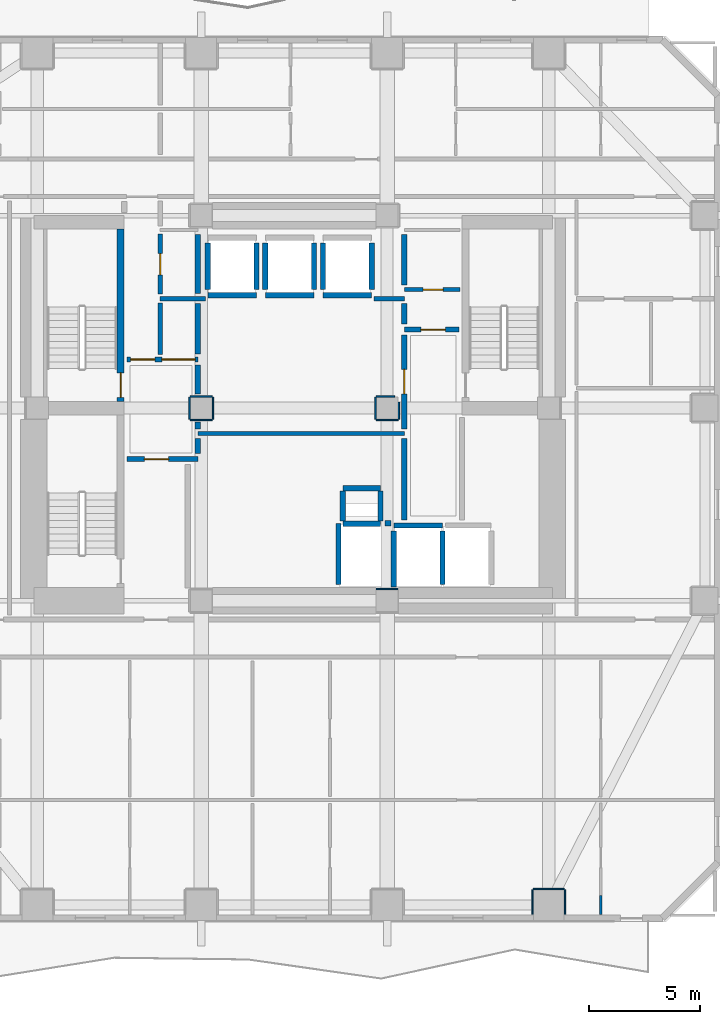
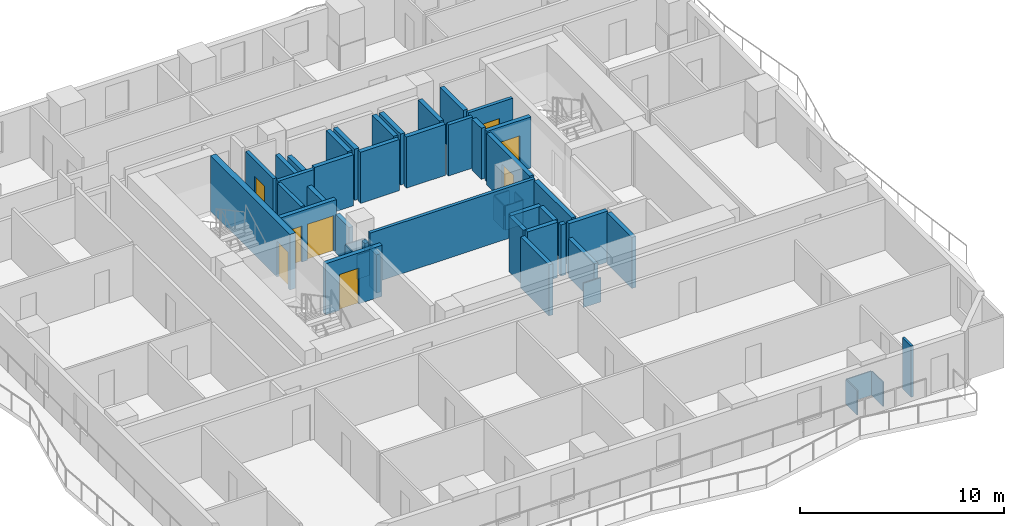
# One storey, part 4 of 11: 50 walls, 8 doors, 8 openings.
"""IFC4 building model written with IfcOpenShell, lengths in metres."""

from ifc_helpers import new_model, si_unit, direction, frame, frame_2d, origin, place, context, subcontext, project, spatial, rectangle, extrude, material, layer, layer_set, type_object, element, fill, save


model = new_model("IFC4")

# Units and contexts
model_context = context("Model", 3, precision=1e-05, world=origin(), true_north=direction((0.0, 1.0)))
body_context = subcontext(model_context, "Body", "Model", "MODEL_VIEW")
ifc_project = project(units=[si_unit("LENGTHUNIT", "METRE"), si_unit("AREAUNIT", "SQUARE_METRE"), si_unit("VOLUMEUNIT", "CUBIC_METRE"), si_unit("PLANEANGLEUNIT", "RADIAN"), si_unit("MASSUNIT", "GRAM", prefix="KILO")], contexts=[model_context])

# Site, building, storey
site_placement = place(None, origin())
site = spatial("IfcSite", under=ifc_project, at=site_placement, CompositionType="ELEMENT")
building_placement = place(site_placement, origin())
building = spatial("IfcBuilding", under=site, at=building_placement, Name="Solanera Arch Residences", CompositionType="ELEMENT")
storey_placement = place(building_placement, frame((0.0, 0.0, 31.9599609375)))
storey = spatial("IfcBuildingStorey", under=building, at=storey_placement, Name="L08", CompositionType="ELEMENT", Elevation=31.9599609375)

# Walls
ifc_material_1 = material(Name="Fire-Rated Gypsum Stud Partition", Category="gypsum")
ifc_layer_1 = layer(ifc_material_1, 0.06005859375)
ifc_layer_set_1 = layer_set([ifc_layer_1], Name="Fire-Rated Gypsum Stud Partition")
wall_type_1 = type_object("IfcWallType", Name="Column Acoustic Furring Wall 60", PredefinedType="PARTITIONING", material=ifc_layer_set_1)
wall_1_placement = place(storey_placement, frame((28.7099609375, 22.531982421875, 0.0), z_axis=(0.0, 0.0, 1.0), x_axis=(1.0, 0.0, 0.0)))
element("IfcWall", 1, at=wall_1_placement, inside=storey, type_object=wall_type_1, Name="L08 Column Furring 2N", PredefinedType="PARTITIONING", context=body_context, shape_type="SweptSolid", body=[
    extrude(rectangle(XDim=0.97998046875, YDim=0.06005859375, at=frame_2d((0.489990234375, 0.0))), origin(), (0.0, 0.0, 1.0), 1.449951171875),
])
for number, where, z_axis, x_axis, name in (
    (2, (20.300048828125, 30.16796875, 0.0), (0.0, 0.0, 1.0), (1.0, 0.0, 0.0), "L08 Column Furring 7S"),
    (3, (20.300048828125, 31.23193359375, 0.0), (0.0, 0.0, 1.0), (1.0, 0.0, 0.0), "L08 Column Furring 7N"),
    (4, (20.26806640625, 30.199951171875, 0.0), (0.0, 0.0, 1.0), (0.0, 1.0, 0.0), "L08 Column Furring 7W"),
    (5, (21.33203125, 30.199951171875, 0.0), (0.0, 0.0, 1.0), (0.0, 1.0, 0.0), "L08 Column Furring 7E"),
    (6, (28.699951171875, 30.16796875, 0.0), (0.0, 0.0, 1.0), (1.0, 0.0, 0.0), "L08 Column Furring 8S"),
):
    element("IfcWall", number, at=place(storey_placement, frame(where, z_axis=z_axis, x_axis=x_axis)), inside=storey, type_object=wall_type_1, Name=name, PredefinedType="PARTITIONING", context=body_context, shape_type="SweptSolid", body=[
        extrude(rectangle(XDim=1.0, YDim=0.06005859375, at=frame_2d((0.5, 0.0))), origin(), (0.0, 0.0, 1.0), 1.449951171875),
    ])
wall_2_placement = place(storey_placement, frame((28.699951171875, 31.23193359375, 0.0), z_axis=(0.0, 0.0, 1.0), x_axis=(1.0, 0.0, 0.0)))
element("IfcWall", 7, at=wall_2_placement, inside=storey, type_object=wall_type_1, Name="L08 Column Furring 8N", PredefinedType="PARTITIONING", context=body_context, shape_type="SweptSolid", body=[
    extrude(rectangle(XDim=0.841064453125, YDim=0.06005859375, at=frame_2d((0.42041015625, 0.0))), origin(), (0.0, 0.0, 1.0), 1.449951171875),
])
wall_3_placement = place(storey_placement, frame((28.66796875, 30.199951171875, 0.0), z_axis=(0.0, 0.0, 1.0), x_axis=(0.0, 1.0, 0.0)))
element("IfcWall", 8, at=wall_3_placement, inside=storey, type_object=wall_type_1, Name="L08 Column Furring 8W", PredefinedType="PARTITIONING", context=body_context, shape_type="SweptSolid", body=[
    extrude(rectangle(XDim=1.0, YDim=0.06005859375, at=frame_2d((0.5, 0.0))), origin(), (0.0, 0.0, 1.0), 1.449951171875),
])
wall_4_placement = place(storey_placement, frame((29.73193359375, 30.199951171875, 0.0), z_axis=(0.0, 0.0, 1.0), x_axis=(0.0, 1.0, 0.0)))
element("IfcWall", 9, at=wall_4_placement, inside=storey, type_object=wall_type_1, Name="L08 Column Furring 8E", PredefinedType="PARTITIONING", context=body_context, shape_type="SweptSolid", body=[
    extrude(rectangle(XDim=0.77197265625, YDim=0.06005859375, at=frame_2d((0.385986328125, 0.0))), origin(), (0.0, 0.0, 1.0), 1.449951171875),
])
wall_5_placement = place(storey_placement, frame((35.800048828125, 8.98193359375, 0.0), z_axis=(0.0, 0.0, 1.0), x_axis=(1.0, 0.0, 0.0)))
element("IfcWall", 10, at=wall_5_placement, inside=storey, type_object=wall_type_1, Name="L08 Column Furring 15N", PredefinedType="PARTITIONING", context=body_context, shape_type="SweptSolid", body=[
    extrude(rectangle(XDim=1.39990234375, YDim=0.06005859375, at=frame_2d((0.699951171875, 0.0))), origin(), (0.0, 0.0, 1.0), 1.449951171875),
])
for number, where, z_axis, x_axis, name in (
    (11, (35.76806640625, 7.830078125, 0.0), (0.0, 0.0, 1.0), (0.0, 1.0, 0.0), "L08 Column Furring 15W"),
    (12, (37.23193359375, 7.830078125, 0.0), (0.0, 0.0, 1.0), (0.0, 1.0, 0.0), "L08 Column Furring 15E"),
):
    element("IfcWall", number, at=place(storey_placement, frame(where, z_axis=z_axis, x_axis=x_axis)), inside=storey, type_object=wall_type_1, Name=name, PredefinedType="PARTITIONING", context=body_context, shape_type="SweptSolid", body=[
        extrude(rectangle(XDim=1.119873046875, YDim=0.06005859375, at=frame_2d((0.56005859375, 0.0))), origin(), (0.0, 0.0, 1.0), 1.449951171875),
    ])

# Wall, opening, door
ifc_material_2 = material(Name="Concrete C40/50 (f'c = 45 MPa)", Category="concrete")
ifc_layer_2 = layer(ifc_material_2, 0.320068359375)
ifc_layer_set_2 = layer_set([ifc_layer_2], Name="Concrete C40/50 (f'c = 45 MPa)")
wall_type_2 = type_object("IfcWallType", Name="Core Shear Wall CW-320", PredefinedType="SHEAR", material=ifc_layer_set_2)
wall_6_placement = place(storey_placement, frame((17.159912109375, 31.0, 0.0), z_axis=(0.0, 0.0, 1.0), x_axis=(0.0, 1.0, 0.0)))
wall_6 = element("IfcWall", 13, at=wall_6_placement, inside=storey, type_object=wall_type_2, Name="L08 Stair ST-T1 East Shear Wall", PredefinedType="SHEAR", context=body_context, shape_type="SweptSolid", body=[
    extrude(rectangle(XDim=7.800048828125, YDim=0.320068359375, at=frame_2d((3.89990234375, 0.0))), origin(), (0.0, 0.0, 1.0), 3.320068359375),
])
opening_1_placement = place(wall_6_placement, frame((0.18994140625, 0.0, 0.0)))
opening_1 = element("IfcOpeningElement", 14, at=opening_1_placement, cuts=wall_6, Name="Opening DF-01", PredefinedType="OPENING", context=body_context, shape_type="SweptSolid", body=[
    extrude(rectangle(XDim=1.10009765625, YDim=2.14990234375, at=frame_2d((0.550048828125, 1.074951171875))), frame((0.0, 0.169921875, 0.0), z_axis=(0.0, -1.0, 0.0), x_axis=(1.0, 0.0, 0.0)), (0.0, 0.0, 1.0), 0.3401),
])
ifc_material_3 = material(Name="Fire-Rated Architectural Hardwood", Category="wood")
door_type_1 = type_object("IfcDoorType", Name="Stair Exit Fire Door DF-01", OperationType="NOTDEFINED", PredefinedType="DOOR", material=ifc_material_3)
door_1_placement = place(opening_1_placement, origin())
door_1 = element("IfcDoor", 15, at=door_1_placement, inside=storey, type_object=door_type_1, Name="DR-L08-STAIR-ST-T1", OperationType="SINGLE_SWING_RIGHT", OverallHeight=2.14990234375, OverallWidth=1.10009765625, PredefinedType="DOOR", context=body_context, shape_type="SweptSolid", body=[
    extrude(rectangle(XDim=1.10009765625, YDim=2.14990234375, at=frame_2d((0.550048828125, 1.074951171875))), frame((0.0, 0.02490234375, 0.0), z_axis=(0.0, -1.0, 0.0), x_axis=(1.0, 0.0, 0.0)), (0.0, 0.0, 1.0), 0.050048828125),
])
fill(opening_1, door_1)

# Wall
ifc_material_4 = material(Name="Autoclaved Aerated Concrete Blockwork", Category="masonry")
ifc_layer_3 = layer(ifc_material_4, 0.179931640625)
ifc_layer_set_3 = layer_set([ifc_layer_3], Name="Autoclaved Aerated Concrete Blockwork")
wall_type_3 = type_object("IfcWallType", Name="Corridor Fire Partition 180", PredefinedType="PARTITIONING", material=ifc_layer_set_3)
wall_7_placement = place(storey_placement, frame((20.64990234375, 29.550048828125, 0.0), z_axis=(0.0, 0.0, 1.0), x_axis=(1.0, 0.0, 0.0)))
element("IfcWall", 16, at=wall_7_placement, inside=storey, type_object=wall_type_3, Name="L08 Interior Partition H9", PredefinedType="PARTITIONING", context=body_context, shape_type="SweptSolid", body=[
    extrude(rectangle(XDim=9.3251953125, YDim=0.179931640625, at=frame_2d((4.66259765625, 0.0))), origin(), (0.0, 0.0, 1.0), 3.06005859375),
])

# Wall, opening, door
wall_8_placement = place(storey_placement, frame((29.97509765625, 36.050048828125, 0.0), z_axis=(0.0, 0.0, 1.0), x_axis=(1.0, 0.0, 0.0)))
wall_8 = element("IfcWall", 17, at=wall_8_placement, inside=storey, type_object=wall_type_3, Name="L08 Interior Partition H10", PredefinedType="PARTITIONING", context=body_context, shape_type="SweptSolid", body=[
    extrude(rectangle(XDim=2.5048828125, YDim=0.179931640625, at=frame_2d((1.25244140625, 0.0))), origin(), (0.0, 0.0, 1.0), 3.06005859375),
])
opening_2_placement = place(wall_8_placement, frame((0.85205078125, 0.0, 0.0)))
opening_2 = element("IfcOpeningElement", 18, at=opening_2_placement, cuts=wall_8, Name="Opening DI-02", PredefinedType="OPENING", context=body_context, shape_type="SweptSolid", body=[
    extrude(rectangle(XDim=0.89990234375, YDim=2.10009765625, at=frame_2d((0.449951171875, 1.050048828125))), frame((0.0, 0.10009765625, 0.0), z_axis=(0.0, -1.0, 0.0), x_axis=(1.0, 0.0, 0.0)), (0.0, 0.0, 1.0), 0.1999),
])
ifc_material_5 = material(Name="Fire-Rated Architectural Hardwood", Category="wood")
door_type_2 = type_object("IfcDoorType", Name="Suite Room Swing Door DI-02", OperationType="NOTDEFINED", PredefinedType="DOOR", material=ifc_material_5)
door_2_placement = place(opening_2_placement, origin())
door_2 = element("IfcDoor", 19, at=door_2_placement, inside=storey, type_object=door_type_2, Name="DR-L08-IN-013", OperationType="SINGLE_SWING_RIGHT", OverallHeight=2.10009765625, OverallWidth=0.89990234375, PredefinedType="DOOR", context=body_context, shape_type="SweptSolid", body=[
    extrude(rectangle(XDim=0.89990234375, YDim=2.10009765625, at=frame_2d((0.449951171875, 1.050048828125))), frame((0.0, 0.02490234375, 0.0), z_axis=(0.0, -1.0, 0.0), x_axis=(1.0, 0.0, 0.0)), (0.0, 0.0, 1.0), 0.050048828125),
])
fill(opening_2, door_2)

# Walls
ifc_material_6 = material(Name="Autoclaved Aerated Concrete Blockwork", Category="masonry")
ifc_layer_4 = layer(ifc_material_6, 0.199951171875)
ifc_layer_set_4 = layer_set([ifc_layer_4], Name="Autoclaved Aerated Concrete Blockwork")
wall_type_4 = type_object("IfcWallType", Name="Party Wall Acoustic 200", PredefinedType="PARTITIONING", material=ifc_layer_set_4)
wall_9_placement = place(storey_placement, frame((18.949951171875, 35.64990234375, 0.0), z_axis=(0.0, 0.0, 1.0), x_axis=(1.0, 0.0, 0.0)))
element("IfcWall", 20, at=wall_9_placement, inside=storey, type_object=wall_type_4, Name="L08 Interior Partition H6 1", PredefinedType="PARTITIONING", context=body_context, shape_type="SweptSolid", body=[
    extrude(rectangle(XDim=2.046142578125, YDim=0.199951171875, at=frame_2d((1.02294921875, 0.0))), origin(), (0.0, 0.0, 1.0), 3.06005859375),
])
wall_10_placement = place(storey_placement, frame((28.60400390625, 35.64990234375, 0.0), z_axis=(0.0, 0.0, 1.0), x_axis=(1.0, 0.0, 0.0)))
element("IfcWall", 21, at=wall_10_placement, inside=storey, type_object=wall_type_4, Name="L08 Interior Partition H6 2", PredefinedType="PARTITIONING", context=body_context, shape_type="SweptSolid", body=[
    extrude(rectangle(XDim=1.37109375, YDim=0.199951171875, at=frame_2d((0.685546875, 0.0))), origin(), (0.0, 0.0, 1.0), 3.06005859375),
])
wall_11_placement = place(storey_placement, frame((18.949951171875, 33.1279296875, 0.0), z_axis=(0.0, 0.0, 1.0), x_axis=(0.0, 1.0, 0.0)))
element("IfcWall", 22, at=wall_11_placement, inside=storey, type_object=wall_type_4, Name="L08 Interior Partition V6 1", PredefinedType="PARTITIONING", context=body_context, shape_type="SweptSolid", body=[
    extrude(rectangle(XDim=2.31396484375, YDim=0.199951171875, at=frame_2d((1.156982421875, 0.0))), origin(), (0.0, 0.0, 1.0), 3.06005859375),
])

# Wall, opening, door
wall_12_placement = place(storey_placement, frame((18.949951171875, 35.85791015625, 0.0), z_axis=(0.0, 0.0, 1.0), x_axis=(0.0, 1.0, 0.0)))
wall_12 = element("IfcWall", 23, at=wall_12_placement, inside=storey, type_object=wall_type_4, Name="L08 Interior Partition V6 2", PredefinedType="PARTITIONING", context=body_context, shape_type="SweptSolid", body=[
    extrude(rectangle(XDim=2.714111328125, YDim=0.199951171875, at=frame_2d((1.35693359375, 0.0))), origin(), (0.0, 0.0, 1.0), 3.06005859375),
])
opening_3_placement = place(wall_12_placement, frame((0.866943359375, 0.0, 0.0)))
opening_3 = element("IfcOpeningElement", 24, at=opening_3_placement, cuts=wall_12, Name="Opening DI-04", PredefinedType="OPENING", context=body_context, shape_type="SweptSolid", body=[
    extrude(rectangle(XDim=0.949951171875, YDim=2.10009765625, at=frame_2d((0.47509765625, 1.050048828125))), frame((0.0, 0.110107421875, 0.0), z_axis=(0.0, -1.0, 0.0), x_axis=(1.0, 0.0, 0.0)), (0.0, 0.0, 1.0), 0.22),
])
ifc_material_7 = material(Name="Fire-Rated Architectural Hardwood", Category="wood")
door_type_3 = type_object("IfcDoorType", Name="Accessible Restroom Door DI-04", OperationType="NOTDEFINED", PredefinedType="DOOR", material=ifc_material_7)
door_3_placement = place(opening_3_placement, origin())
door_3 = element("IfcDoor", 25, at=door_3_placement, inside=storey, type_object=door_type_3, Name="DR-L08-IN-014", OperationType="SINGLE_SWING_LEFT", OverallHeight=2.10009765625, OverallWidth=0.949951171875, PredefinedType="DOOR", context=body_context, shape_type="SweptSolid", body=[
    extrude(rectangle(XDim=0.949951171875, YDim=2.10009765625, at=frame_2d((0.47509765625, 1.050048828125))), frame((0.0, 0.02490234375, 0.0), z_axis=(0.0, -1.0, 0.0), x_axis=(1.0, 0.0, 0.0)), (0.0, 0.0, 1.0), 0.050048828125),
])
fill(opening_3, door_3)

# Walls
ifc_material_8 = material(Name="Concrete C40/50 (f'c = 45 MPa)", Category="concrete")
ifc_layer_5 = layer(ifc_material_8, 0.239990234375)
ifc_layer_set_5 = layer_set([ifc_layer_5], Name="Concrete C40/50 (f'c = 45 MPa)")
wall_type_5 = type_object("IfcWallType", Name="Ramp Bearing Shear Wall RW-240", PredefinedType="SHEAR", material=ifc_layer_set_5)
for number, where, z_axis, x_axis, name in (
    (26, (27.199951171875, 25.47998046875, 0.0), (0.0, 0.0, 1.0), (1.0, 0.0, 0.0), "L08 Core MEP Riser South Shaft Wall"),
    (27, (27.199951171875, 27.080078125, 0.0), (0.0, 0.0, 1.0), (1.0, 0.0, 0.0), "L08 Core MEP Riser North Shaft Wall"),
):
    element("IfcWall", number, at=place(storey_placement, frame(where, z_axis=z_axis, x_axis=x_axis)), inside=storey, type_object=wall_type_5, Name=name, PredefinedType="SHEAR", context=body_context, shape_type="SweptSolid", body=[
        extrude(rectangle(XDim=1.699951171875, YDim=0.239990234375, at=frame_2d((0.85009765625, 0.0))), origin(), (0.0, 0.0, 1.0), 3.320068359375),
    ])
for number, where, z_axis, x_axis, name in (
    (28, (27.199951171875, 25.60009765625, 0.0), (0.0, 0.0, 1.0), (0.0, 1.0, 0.0), "L08 Core MEP Riser West Shaft Wall"),
    (29, (28.89990234375, 25.60009765625, 0.0), (0.0, 0.0, 1.0), (0.0, 1.0, 0.0), "L08 Core MEP Riser East Shaft Wall"),
):
    element("IfcWall", number, at=place(storey_placement, frame(where, z_axis=z_axis, x_axis=x_axis)), inside=storey, type_object=wall_type_5, Name=name, PredefinedType="SHEAR", context=body_context, shape_type="SweptSolid", body=[
        extrude(rectangle(XDim=1.35986328125, YDim=0.239990234375, at=frame_2d((0.679931640625, 0.0))), origin(), (0.0, 0.0, 1.0), 3.320068359375),
    ])
ifc_material_9 = material(Name="Autoclaved Aerated Concrete Blockwork", Category="masonry")
ifc_layer_6 = layer(ifc_material_9, 0.239990234375)
ifc_layer_set_6 = layer_set([ifc_layer_6], Name="Autoclaved Aerated Concrete Blockwork")
wall_type_6 = type_object("IfcWallType", Name="Shaft Wall Fire-Rated 240", PredefinedType="PARTITIONING", material=ifc_layer_set_6)
wall_13_placement = place(storey_placement, frame((21.10009765625, 35.800048828125, 0.0), z_axis=(0.0, 0.0, 1.0), x_axis=(1.0, 0.0, 0.0)))
element("IfcWall", 30, at=wall_13_placement, inside=storey, type_object=wall_type_6, Name="L08 Lift PL-L1 Hoistway Wall S", PredefinedType="PARTITIONING", context=body_context, shape_type="SweptSolid", body=[
    extrude(rectangle(XDim=2.199951171875, YDim=0.239990234375, at=frame_2d((1.10009765625, 0.0))), origin(), (0.0, 0.0, 1.0), 3.06005859375),
])
wall_14_placement = place(storey_placement, frame((21.10009765625, 36.048095703125, 0.0), z_axis=(0.0, 0.0, 1.0), x_axis=(0.0, 1.0, 0.0)))
element("IfcWall", 31, at=wall_14_placement, inside=storey, type_object=wall_type_6, Name="L08 Lift PL-L1 Hoistway Wall W", PredefinedType="PARTITIONING", context=body_context, shape_type="SweptSolid", body=[
    extrude(rectangle(XDim=2.10400390625, YDim=0.239990234375, at=frame_2d((1.052001953125, 0.0))), origin(), (0.0, 0.0, 1.0), 2.294921875),
])
wall_15_placement = place(storey_placement, frame((23.300048828125, 36.048095703125, 0.0), z_axis=(0.0, 0.0, 1.0), x_axis=(0.0, 1.0, 0.0)))
element("IfcWall", 32, at=wall_15_placement, inside=storey, type_object=wall_type_6, Name="L08 Lift PL-L1 Hoistway Wall E", PredefinedType="PARTITIONING", context=body_context, shape_type="SweptSolid", body=[
    extrude(rectangle(XDim=2.10400390625, YDim=0.239990234375, at=frame_2d((1.052001953125, 0.0))), origin(), (0.0, 0.0, 1.0), 3.06005859375),
])
wall_16_placement = place(storey_placement, frame((23.699951171875, 35.800048828125, 0.0), z_axis=(0.0, 0.0, 1.0), x_axis=(1.0, 0.0, 0.0)))
element("IfcWall", 33, at=wall_16_placement, inside=storey, type_object=wall_type_6, Name="L08 Lift PL-L2 Hoistway Wall S", PredefinedType="PARTITIONING", context=body_context, shape_type="SweptSolid", body=[
    extrude(rectangle(XDim=2.199951171875, YDim=0.239990234375, at=frame_2d((1.10009765625, 0.0))), origin(), (0.0, 0.0, 1.0), 3.06005859375),
])
for number, where, z_axis, x_axis, name in (
    (34, (23.699951171875, 36.048095703125, 0.0), (0.0, 0.0, 1.0), (0.0, 1.0, 0.0), "L08 Lift PL-L2 Hoistway Wall W"),
    (35, (25.89990234375, 36.048095703125, 0.0), (0.0, 0.0, 1.0), (0.0, 1.0, 0.0), "L08 Lift PL-L2 Hoistway Wall E"),
):
    element("IfcWall", number, at=place(storey_placement, frame(where, z_axis=z_axis, x_axis=x_axis)), inside=storey, type_object=wall_type_6, Name=name, PredefinedType="PARTITIONING", context=body_context, shape_type="SweptSolid", body=[
        extrude(rectangle(XDim=2.10400390625, YDim=0.239990234375, at=frame_2d((1.052001953125, 0.0))), origin(), (0.0, 0.0, 1.0), 3.06005859375),
    ])
wall_17_placement = place(storey_placement, frame((26.300048828125, 35.800048828125, 0.0), z_axis=(0.0, 0.0, 1.0), x_axis=(1.0, 0.0, 0.0)))
element("IfcWall", 36, at=wall_17_placement, inside=storey, type_object=wall_type_6, Name="L08 Lift PL-L3 Hoistway Wall S", PredefinedType="PARTITIONING", context=body_context, shape_type="SweptSolid", body=[
    extrude(rectangle(XDim=2.199951171875, YDim=0.239990234375, at=frame_2d((1.10009765625, 0.0))), origin(), (0.0, 0.0, 1.0), 3.06005859375),
])
for number, where, z_axis, x_axis, name in (
    (37, (26.300048828125, 36.048095703125, 0.0), (0.0, 0.0, 1.0), (0.0, 1.0, 0.0), "L08 Lift PL-L3 Hoistway Wall W"),
    (38, (28.5, 36.048095703125, 0.0), (0.0, 0.0, 1.0), (0.0, 1.0, 0.0), "L08 Lift PL-L3 Hoistway Wall E"),
):
    element("IfcWall", number, at=place(storey_placement, frame(where, z_axis=z_axis, x_axis=x_axis)), inside=storey, type_object=wall_type_6, Name=name, PredefinedType="PARTITIONING", context=body_context, shape_type="SweptSolid", body=[
        extrude(rectangle(XDim=2.10400390625, YDim=0.239990234375, at=frame_2d((1.052001953125, 0.0))), origin(), (0.0, 0.0, 1.0), 3.06005859375),
    ])
wall_18_placement = place(storey_placement, frame((29.5, 25.39990234375, 0.0), z_axis=(0.0, 0.0, 1.0), x_axis=(1.0, 0.0, 0.0)))
element("IfcWall", 39, at=wall_18_placement, inside=storey, type_object=wall_type_6, Name="L08 Lift FFL-1 Hoistway Wall N", PredefinedType="PARTITIONING", context=body_context, shape_type="SweptSolid", body=[
    extrude(rectangle(XDim=2.199951171875, YDim=0.239990234375, at=frame_2d((1.10009765625, 0.0))), origin(), (0.0, 0.0, 1.0), 3.06005859375),
])
wall_19_placement = place(storey_placement, frame((29.5, 22.632080078125, 0.0), z_axis=(0.0, 0.0, 1.0), x_axis=(0.0, 1.0, 0.0)))
element("IfcWall", 40, at=wall_19_placement, inside=storey, type_object=wall_type_6, Name="L08 Lift FFL-1 Hoistway Wall W", PredefinedType="PARTITIONING", context=body_context, shape_type="SweptSolid", body=[
    extrude(rectangle(XDim=2.52001953125, YDim=0.239990234375, at=frame_2d((1.260009765625, 0.0))), origin(), (0.0, 0.0, 1.0), 2.294921875),
])
wall_20_placement = place(storey_placement, frame((31.699951171875, 22.72998046875, 0.0), z_axis=(0.0, 0.0, 1.0), x_axis=(0.0, 1.0, 0.0)))
element("IfcWall", 41, at=wall_20_placement, inside=storey, type_object=wall_type_6, Name="L08 Lift FFL-1 Hoistway Wall E", PredefinedType="PARTITIONING", context=body_context, shape_type="SweptSolid", body=[
    extrude(rectangle(XDim=2.422119140625, YDim=0.239990234375, at=frame_2d((1.2109375, 0.0))), origin(), (0.0, 0.0, 1.0), 3.06005859375),
])
wall_21_placement = place(storey_placement, frame((29.10302734375, 25.5, 0.0), z_axis=(0.0, 0.0, 1.0), x_axis=(1.0, 0.0, 0.0)))
element("IfcWall", 42, at=wall_21_placement, inside=storey, type_object=wall_type_6, Name="L08 Lift SVL-1 Hoistway Wall N", PredefinedType="PARTITIONING", context=body_context, shape_type="SweptSolid", body=[
    extrude(rectangle(XDim=0.26904296875, YDim=0.239990234375, at=frame_2d((0.134521484375, 0.0))), origin(), (0.0, 0.0, 1.0), 3.06005859375),
])
wall_22_placement = place(storey_placement, frame((27.0, 22.72998046875, 0.0), z_axis=(0.0, 0.0, 1.0), x_axis=(0.0, 1.0, 0.0)))
element("IfcWall", 43, at=wall_22_placement, inside=storey, type_object=wall_type_6, Name="L08 Lift SVL-1 Hoistway Wall W", PredefinedType="PARTITIONING", context=body_context, shape_type="SweptSolid", body=[
    extrude(rectangle(XDim=2.76806640625, YDim=0.239990234375, at=frame_2d((1.384033203125, 0.0))), origin(), (0.0, 0.0, 1.0), 3.06005859375),
])

# Wall, opening, door
wall_23_placement = place(storey_placement, frame((17.449951171875, 28.39990234375, 0.0), z_axis=(0.0, 0.0, 1.0), x_axis=(1.0, 0.0, 0.0)))
wall_23 = element("IfcWall", 44, at=wall_23_placement, inside=storey, type_object=wall_type_6, Name="L08 Interior Partition H3", PredefinedType="PARTITIONING", context=body_context, shape_type="SweptSolid", body=[
    extrude(rectangle(XDim=3.199951171875, YDim=0.239990234375, at=frame_2d((1.60009765625, 0.0))), origin(), (0.0, 0.0, 1.0), 3.06005859375),
])
opening_4_placement = place(wall_23_placement, frame((0.783935546875, 0.0, 0.0)))
opening_4 = element("IfcOpeningElement", 45, at=opening_4_placement, cuts=wall_23, Name="Opening DF-02", PredefinedType="OPENING", context=body_context, shape_type="SweptSolid", body=[
    extrude(rectangle(XDim=1.10009765625, YDim=2.14990234375, at=frame_2d((0.550048828125, 1.074951171875))), frame((0.0, 0.1298828125, 0.0), z_axis=(0.0, -1.0, 0.0), x_axis=(1.0, 0.0, 0.0)), (0.0, 0.0, 1.0), 0.26),
])
ifc_material_10 = material(Name="Fire-Rated Architectural Hardwood", Category="wood")
door_type_4 = type_object("IfcDoorType", Name="Firefighting Lobby Fire Door DF-02", OperationType="NOTDEFINED", PredefinedType="DOOR", material=ifc_material_10)
door_4_placement = place(opening_4_placement, origin())
door_4 = element("IfcDoor", 46, at=door_4_placement, inside=storey, type_object=door_type_4, Name="DR-L08-IN-004", OperationType="SINGLE_SWING_LEFT", OverallHeight=2.14990234375, OverallWidth=1.10009765625, PredefinedType="DOOR", context=body_context, shape_type="SweptSolid", body=[
    extrude(rectangle(XDim=1.10009765625, YDim=2.14990234375, at=frame_2d((0.550048828125, 1.074951171875))), frame((0.0, 0.02490234375, 0.0), z_axis=(0.0, -1.0, 0.0), x_axis=(1.0, 0.0, 0.0)), (0.0, 0.0, 1.0), 0.050048828125),
])
fill(opening_4, door_4)

# Wall, openings, doors
wall_24_placement = place(storey_placement, frame((17.449951171875, 32.89990234375, 0.0), z_axis=(0.0, 0.0, 1.0), x_axis=(1.0, 0.0, 0.0)))
wall_24 = element("IfcWall", 47, at=wall_24_placement, inside=storey, type_object=wall_type_6, Name="L08 Interior Partition H4", PredefinedType="PARTITIONING", context=body_context, shape_type="SweptSolid", body=[
    extrude(rectangle(XDim=3.199951171875, YDim=0.239990234375, at=frame_2d((1.60009765625, 0.0))), origin(), (0.0, 0.0, 1.0), 3.06005859375),
])
opening_5_placement = place(wall_24_placement, frame((0.158935546875, 0.0, 0.0)))
opening_5 = element("IfcOpeningElement", 48, at=opening_5_placement, cuts=wall_24, Name="Opening DF-02", PredefinedType="OPENING", context=body_context, shape_type="SweptSolid", body=[
    extrude(rectangle(XDim=1.10009765625, YDim=2.14990234375, at=frame_2d((0.550048828125, 1.074951171875))), frame((0.0, 0.1298828125, 0.0), z_axis=(0.0, -1.0, 0.0), x_axis=(1.0, 0.0, 0.0)), (0.0, 0.0, 1.0), 0.26),
])
opening_6_placement = place(wall_24_placement, frame((1.575927734375, 0.0, 0.0)))
opening_6 = element("IfcOpeningElement", 49, at=opening_6_placement, cuts=wall_24, Name="Opening DP-01", PredefinedType="OPENING", context=body_context, shape_type="SweptSolid", body=[
    extrude(rectangle(XDim=1.5, YDim=2.14990234375, at=frame_2d((0.75, 1.074951171875))), frame((0.0, 0.1298828125, 0.0), z_axis=(0.0, -1.0, 0.0), x_axis=(1.0, 0.0, 0.0)), (0.0, 0.0, 1.0), 0.26),
])
door_5_placement = place(opening_5_placement, origin())
door_5 = element("IfcDoor", 50, at=door_5_placement, inside=storey, type_object=door_type_4, Name="DR-L08-IN-005", OperationType="SINGLE_SWING_RIGHT", OverallHeight=2.14990234375, OverallWidth=1.10009765625, PredefinedType="DOOR", context=body_context, shape_type="SweptSolid", body=[
    extrude(rectangle(XDim=1.10009765625, YDim=2.14990234375, at=frame_2d((0.550048828125, 1.074951171875))), frame((0.0, 0.02490234375, 0.0), z_axis=(0.0, -1.0, 0.0), x_axis=(1.0, 0.0, 0.0)), (0.0, 0.0, 1.0), 0.050048828125),
])
fill(opening_5, door_5)
ifc_material_11 = material(Name="Fire-Rated Architectural Hardwood", Category="wood")
door_type_5 = type_object("IfcDoorType", Name="Plant Double Fire Door DP-01", OperationType="NOTDEFINED", PredefinedType="DOOR", material=ifc_material_11)
door_6_placement = place(opening_6_placement, origin())
door_6 = element("IfcDoor", 51, at=door_6_placement, inside=storey, type_object=door_type_5, Name="DR-L08-IN-012", OperationType="SINGLE_SWING_LEFT", OverallHeight=2.14990234375, OverallWidth=1.5, PredefinedType="DOOR", context=body_context, shape_type="SweptSolid", body=[
    extrude(rectangle(XDim=1.5, YDim=2.14990234375, at=frame_2d((0.75, 1.074951171875))), frame((0.0, 0.02490234375, 0.0), z_axis=(0.0, -1.0, 0.0), x_axis=(1.0, 0.0, 0.0)), (0.0, 0.0, 1.0), 0.050048828125),
])
fill(opening_6, door_6)

# Wall, opening, door
wall_25_placement = place(storey_placement, frame((29.97509765625, 34.25, 0.0), z_axis=(0.0, 0.0, 1.0), x_axis=(1.0, 0.0, 0.0)))
wall_25 = element("IfcWall", 52, at=wall_25_placement, inside=storey, type_object=wall_type_6, Name="L08 Interior Partition H5", PredefinedType="PARTITIONING", context=body_context, shape_type="SweptSolid", body=[
    extrude(rectangle(XDim=2.474853515625, YDim=0.239990234375, at=frame_2d((1.2373046875, 0.0))), origin(), (0.0, 0.0, 1.0), 3.06005859375),
])
opening_7_placement = place(wall_25_placement, frame((0.751953125, 0.0, 0.0)))
opening_7 = element("IfcOpeningElement", 53, at=opening_7_placement, cuts=wall_25, Name="Opening DF-02", PredefinedType="OPENING", context=body_context, shape_type="SweptSolid", body=[
    extrude(rectangle(XDim=1.10009765625, YDim=2.14990234375, at=frame_2d((0.550048828125, 1.074951171875))), frame((0.0, 0.1298828125, 0.0), z_axis=(0.0, -1.0, 0.0), x_axis=(1.0, 0.0, 0.0)), (0.0, 0.0, 1.0), 0.26),
])
door_7_placement = place(opening_7_placement, origin())
door_7 = element("IfcDoor", 54, at=door_7_placement, inside=storey, type_object=door_type_4, Name="DR-L08-IN-007", OperationType="SINGLE_SWING_RIGHT", OverallHeight=2.14990234375, OverallWidth=1.10009765625, PredefinedType="DOOR", context=body_context, shape_type="SweptSolid", body=[
    extrude(rectangle(XDim=1.10009765625, YDim=2.14990234375, at=frame_2d((0.550048828125, 1.074951171875))), frame((0.0, 0.02490234375, 0.0), z_axis=(0.0, -1.0, 0.0), x_axis=(1.0, 0.0, 0.0)), (0.0, 0.0, 1.0), 0.050048828125),
])
fill(opening_7, door_7)

# Walls
wall_26_placement = place(storey_placement, frame((20.64990234375, 28.64794921875, 0.0), z_axis=(0.0, 0.0, 1.0), x_axis=(0.0, 1.0, 0.0)))
element("IfcWall", 55, at=wall_26_placement, inside=storey, type_object=wall_type_6, Name="L08 Interior Partition V3 1", PredefinedType="PARTITIONING", context=body_context, shape_type="SweptSolid", body=[
    extrude(rectangle(XDim=0.68408203125, YDim=0.239990234375, at=frame_2d((0.342041015625, 0.0))), origin(), (0.0, 0.0, 1.0), 2.294921875),
])
wall_27_placement = place(storey_placement, frame((20.64990234375, 29.76806640625, 0.0), z_axis=(0.0, 0.0, 1.0), x_axis=(0.0, 1.0, 0.0)))
element("IfcWall", 56, at=wall_27_placement, inside=storey, type_object=wall_type_6, Name="L08 Interior Partition V3 2", PredefinedType="PARTITIONING", context=body_context, shape_type="SweptSolid", body=[
    extrude(rectangle(XDim=0.300048828125, YDim=0.239990234375, at=frame_2d((0.14990234375, 0.0))), origin(), (0.0, 0.0, 1.0), 2.294921875),
])
wall_28_placement = place(storey_placement, frame((20.64990234375, 31.33203125, 0.0), z_axis=(0.0, 0.0, 1.0), x_axis=(0.0, 1.0, 0.0)))
element("IfcWall", 57, at=wall_28_placement, inside=storey, type_object=wall_type_6, Name="L08 Interior Partition V3 3", PredefinedType="PARTITIONING", context=body_context, shape_type="SweptSolid", body=[
    extrude(rectangle(XDim=1.320068359375, YDim=0.239990234375, at=frame_2d((0.66015625, 0.0))), origin(), (0.0, 0.0, 1.0), 2.294921875),
])
wall_29_placement = place(storey_placement, frame((20.64990234375, 33.14794921875, 0.0), z_axis=(0.0, 0.0, 1.0), x_axis=(0.0, 1.0, 0.0)))
element("IfcWall", 58, at=wall_29_placement, inside=storey, type_object=wall_type_6, Name="L08 Interior Partition V3 4", PredefinedType="PARTITIONING", context=body_context, shape_type="SweptSolid", body=[
    extrude(rectangle(XDim=2.274169921875, YDim=0.239990234375, at=frame_2d((1.13720703125, 0.0))), origin(), (0.0, 0.0, 1.0), 2.294921875),
])
wall_30_placement = place(storey_placement, frame((20.64990234375, 35.8779296875, 0.0), z_axis=(0.0, 0.0, 1.0), x_axis=(0.0, 1.0, 0.0)))
element("IfcWall", 59, at=wall_30_placement, inside=storey, type_object=wall_type_6, Name="L08 Interior Partition V3 5", PredefinedType="PARTITIONING", context=body_context, shape_type="SweptSolid", body=[
    extrude(rectangle(XDim=2.674072265625, YDim=0.239990234375, at=frame_2d((1.3369140625, 0.0))), origin(), (0.0, 0.0, 1.0), 2.294921875),
])
wall_31_placement = place(storey_placement, frame((29.97509765625, 25.64794921875, 0.0), z_axis=(0.0, 0.0, 1.0), x_axis=(0.0, 1.0, 0.0)))
element("IfcWall", 60, at=wall_31_placement, inside=storey, type_object=wall_type_6, Name="L08 Interior Partition V4 1", PredefinedType="PARTITIONING", context=body_context, shape_type="SweptSolid", body=[
    extrude(rectangle(XDim=3.68408203125, YDim=0.239990234375, at=frame_2d((1.842041015625, 0.0))), origin(), (0.0, 0.0, 1.0), 3.06005859375),
])

# Wall, opening, door
wall_32_placement = place(storey_placement, frame((29.97509765625, 29.76806640625, 0.0), z_axis=(0.0, 0.0, 1.0), x_axis=(0.0, 1.0, 0.0)))
wall_32 = element("IfcWall", 61, at=wall_32_placement, inside=storey, type_object=wall_type_6, Name="L08 Interior Partition V4 2", PredefinedType="PARTITIONING", context=body_context, shape_type="SweptSolid", body=[
    extrude(rectangle(XDim=4.23388671875, YDim=0.239990234375, at=frame_2d((2.116943359375, 0.0))), origin(), (0.0, 0.0, 1.0), 3.06005859375),
])
opening_8_placement = place(wall_32_placement, frame((1.58203125, 0.0, 0.0)))
opening_8 = element("IfcOpeningElement", 62, at=opening_8_placement, cuts=wall_32, Name="Opening DF-02", PredefinedType="OPENING", context=body_context, shape_type="SweptSolid", body=[
    extrude(rectangle(XDim=1.10009765625, YDim=2.14990234375, at=frame_2d((0.550048828125, 1.074951171875))), frame((0.0, 0.1298828125, 0.0), z_axis=(0.0, -1.0, 0.0), x_axis=(1.0, 0.0, 0.0)), (0.0, 0.0, 1.0), 0.26),
])
door_8_placement = place(opening_8_placement, origin())
door_8 = element("IfcDoor", 63, at=door_8_placement, inside=storey, type_object=door_type_4, Name="DR-L08-IN-006", OperationType="SINGLE_SWING_LEFT", OverallHeight=2.14990234375, OverallWidth=1.10009765625, PredefinedType="DOOR", context=body_context, shape_type="SweptSolid", body=[
    extrude(rectangle(XDim=1.10009765625, YDim=2.14990234375, at=frame_2d((0.550048828125, 1.074951171875))), frame((0.0, 0.02490234375, 0.0), z_axis=(0.0, -1.0, 0.0), x_axis=(1.0, 0.0, 0.0)), (0.0, 0.0, 1.0), 0.050048828125),
])
fill(opening_8, door_8)

# Walls
wall_33_placement = place(storey_placement, frame((29.97509765625, 34.498046875, 0.0), z_axis=(0.0, 0.0, 1.0), x_axis=(0.0, 1.0, 0.0)))
element("IfcWall", 64, at=wall_33_placement, inside=storey, type_object=wall_type_6, Name="L08 Interior Partition V4 3", PredefinedType="PARTITIONING", context=body_context, shape_type="SweptSolid", body=[
    extrude(rectangle(XDim=0.924072265625, YDim=0.239990234375, at=frame_2d((0.4619140625, 0.0))), origin(), (0.0, 0.0, 1.0), 3.06005859375),
])
wall_34_placement = place(storey_placement, frame((29.97509765625, 36.26806640625, 0.0), z_axis=(0.0, 0.0, 1.0), x_axis=(0.0, 1.0, 0.0)))
element("IfcWall", 65, at=wall_34_placement, inside=storey, type_object=wall_type_6, Name="L08 Interior Partition V4 4", PredefinedType="PARTITIONING", context=body_context, shape_type="SweptSolid", body=[
    extrude(rectangle(XDim=2.283935546875, YDim=0.239990234375, at=frame_2d((1.14208984375, 0.0))), origin(), (0.0, 0.0, 1.0), 3.06005859375),
])
ifc_material_12 = material(Name="Fire-Rated Gypsum Stud Partition", Category="gypsum")
ifc_layer_7 = layer(ifc_material_12, 0.1201171875)
ifc_layer_set_7 = layer_set([ifc_layer_7], Name="Fire-Rated Gypsum Stud Partition")
wall_type_7 = type_object("IfcWallType", Name="Unit Drywall Partition 120", PredefinedType="PARTITIONING", material=ifc_layer_set_7)
wall_35_placement = place(storey_placement, frame((38.85498046875, 7.826904296875, 0.0), z_axis=(0.0, 0.0, 1.0), x_axis=(0.0, 1.0, 0.0)))
element("IfcWall", 66, at=wall_35_placement, inside=storey, type_object=wall_type_7, Name="L08 Interior Partition V27 1", PredefinedType="PARTITIONING", context=body_context, shape_type="SweptSolid", body=[
    extrude(rectangle(XDim=0.864013671875, YDim=0.1201171875, at=frame_2d((0.43212890625, 0.0))), origin(), (0.0, 0.0, 1.0), 3.06005859375),
])

save(model, "model.ifc")
